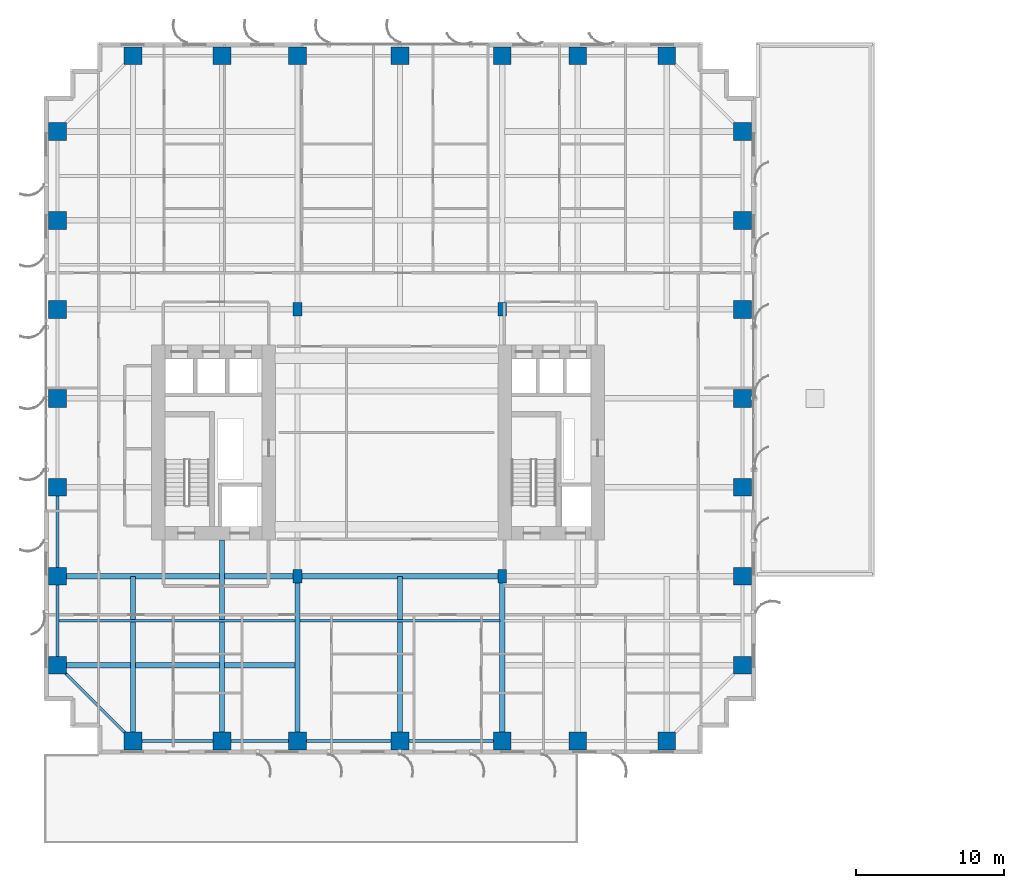
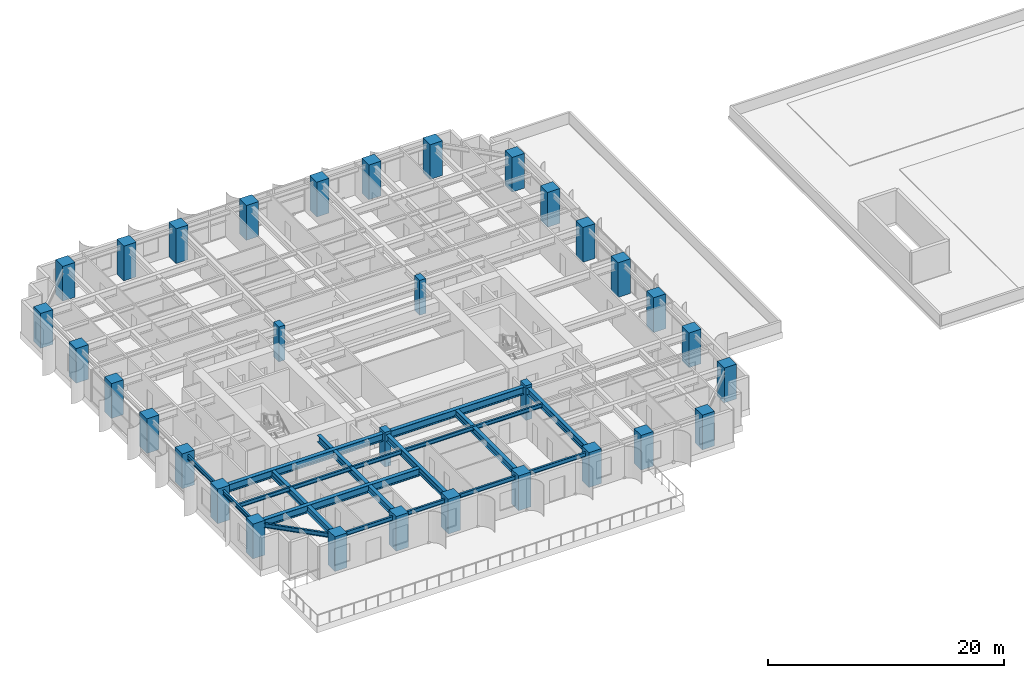
# One storey, part 1 of 21: 32 columns, 17 beams.
"""IFC4 building model written with IfcOpenShell, lengths in metres."""

from ifc_helpers import new_model, si_unit, direction, frame, origin, origin_2d, place, context, subcontext, project, spatial, rectangle, i_section, extrude, source, transform, mapped, material, material_profile, profile_set, type_object, element, save


model = new_model("IFC4")

# Units and contexts
model_context = context("Model", 3, precision=1e-05, world=origin(), true_north=direction((0.0, 1.0)))
body_context = subcontext(model_context, "Body", "Model", "MODEL_VIEW")
ifc_project = project(units=[si_unit("LENGTHUNIT", "METRE"), si_unit("AREAUNIT", "SQUARE_METRE"), si_unit("VOLUMEUNIT", "CUBIC_METRE"), si_unit("PLANEANGLEUNIT", "RADIAN"), si_unit("MASSUNIT", "GRAM", prefix="KILO")], contexts=[model_context])

# Site, building, storey
site_placement = place(None, origin())
site = spatial("IfcSite", under=ifc_project, at=site_placement, CompositionType="ELEMENT")
building_placement = place(site_placement, origin())
building = spatial("IfcBuilding", under=site, at=building_placement, Name="Khoralis Quay Care Tower", CompositionType="ELEMENT")
storey_placement = place(building_placement, frame((0.0, 0.0, 22.5)))
storey = spatial("IfcBuildingStorey", under=building, at=storey_placement, Name="L05", CompositionType="ELEMENT", Elevation=22.5)

# Columns
ifc_material_1 = material(Name="Concrete C80/95", Category="concrete")
ifc_material_profile_1 = material_profile(ifc_material_1, rectangle(XDim=1.199951171875, YDim=1.199951171875, at=origin_2d()), Name="Concrete C80/95")
ifc_profile_set_1 = profile_set([ifc_material_profile_1], Name="Concrete C80/95")
column_type_1 = type_object("IfcColumnType", Name="COL-C1200", PredefinedType="COLUMN", material=ifc_profile_set_1)
shared_shape_1 = source(origin(), body_context, "Body", "SweptSolid", [
    extrude(rectangle(XDim=1.199951171875, YDim=1.199951171875, at=origin_2d()), origin(), (0.0, 0.0, 1.0), 3.60009765625),
])
for number, where, z_axis, x_axis, name in (
    (1, (6.0, 0.89990234375, 0.0), (0.0, 0.0, 1.0), (1.0, 0.0, 0.0), "COL-TWR-L05-01"),
    (2, (6.0, 47.10009765625, 0.0), (0.0, 0.0, 1.0), (1.0, 0.0, 0.0), "COL-TWR-L05-02"),
    (3, (12.0, 0.89990234375, 0.0), (0.0, 0.0, 1.0), (1.0, 0.0, 0.0), "COL-TWR-L05-03"),
    (4, (12.0, 47.10009765625, 0.0), (0.0, 0.0, 1.0), (1.0, 0.0, 0.0), "COL-TWR-L05-04"),
    (5, (17.10009765625, 0.89990234375, 0.0), (0.0, 0.0, 1.0), (1.0, 0.0, 0.0), "COL-TWR-L05-05"),
    (6, (17.10009765625, 47.10009765625, 0.0), (0.0, 0.0, 1.0), (1.0, 0.0, 0.0), "COL-TWR-L05-06"),
    (7, (24.0, 0.89990234375, 0.0), (0.0, 0.0, 1.0), (1.0, 0.0, 0.0), "COL-TWR-L05-07"),
    (8, (24.0, 47.10009765625, 0.0), (0.0, 0.0, 1.0), (1.0, 0.0, 0.0), "COL-TWR-L05-08"),
    (9, (30.89990234375, 0.89990234375, 0.0), (0.0, 0.0, 1.0), (1.0, 0.0, 0.0), "COL-TWR-L05-09"),
    (10, (30.89990234375, 47.10009765625, 0.0), (0.0, 0.0, 1.0), (1.0, 0.0, 0.0), "COL-TWR-L05-10"),
    (11, (36.0, 0.89990234375, 0.0), (0.0, 0.0, 1.0), (1.0, 0.0, 0.0), "COL-TWR-L05-11"),
    (12, (36.0, 47.10009765625, 0.0), (0.0, 0.0, 1.0), (1.0, 0.0, 0.0), "COL-TWR-L05-12"),
    (13, (42.0, 0.89990234375, 0.0), (0.0, 0.0, 1.0), (1.0, 0.0, 0.0), "COL-TWR-L05-13"),
    (14, (42.0, 47.10009765625, 0.0), (0.0, 0.0, 1.0), (1.0, 0.0, 0.0), "COL-TWR-L05-14"),
    (15, (0.89990234375, 6.0, 0.0), (0.0, 0.0, 1.0), (1.0, 0.0, 0.0), "COL-TWR-L05-15"),
    (16, (47.10009765625, 6.0, 0.0), (0.0, 0.0, 1.0), (1.0, 0.0, 0.0), "COL-TWR-L05-16"),
    (17, (0.89990234375, 12.0, 0.0), (0.0, 0.0, 1.0), (1.0, 0.0, 0.0), "COL-TWR-L05-17"),
    (18, (47.10009765625, 12.0, 0.0), (0.0, 0.0, 1.0), (1.0, 0.0, 0.0), "COL-TWR-L05-18"),
    (19, (0.89990234375, 18.0, 0.0), (0.0, 0.0, 1.0), (1.0, 0.0, 0.0), "COL-TWR-L05-19"),
    (20, (47.10009765625, 18.0, 0.0), (0.0, 0.0, 1.0), (1.0, 0.0, 0.0), "COL-TWR-L05-20"),
    (21, (0.89990234375, 24.0, 0.0), (0.0, 0.0, 1.0), (1.0, 0.0, 0.0), "COL-TWR-L05-21"),
    (22, (47.10009765625, 24.0, 0.0), (0.0, 0.0, 1.0), (1.0, 0.0, 0.0), "COL-TWR-L05-22"),
    (23, (0.89990234375, 30.0, 0.0), (0.0, 0.0, 1.0), (1.0, 0.0, 0.0), "COL-TWR-L05-23"),
    (24, (47.10009765625, 30.0, 0.0), (0.0, 0.0, 1.0), (1.0, 0.0, 0.0), "COL-TWR-L05-24"),
    (25, (0.89990234375, 36.0, 0.0), (0.0, 0.0, 1.0), (1.0, 0.0, 0.0), "COL-TWR-L05-25"),
    (26, (47.10009765625, 36.0, 0.0), (0.0, 0.0, 1.0), (1.0, 0.0, 0.0), "COL-TWR-L05-26"),
    (27, (0.89990234375, 42.0, 0.0), (0.0, 0.0, 1.0), (1.0, 0.0, 0.0), "COL-TWR-L05-27"),
    (28, (47.10009765625, 42.0, 0.0), (0.0, 0.0, 1.0), (1.0, 0.0, 0.0), "COL-TWR-L05-28"),
):
    element("IfcColumn", number, at=place(storey_placement, frame(where, z_axis=z_axis, x_axis=x_axis)), inside=storey, type_object=column_type_1, Name=name, PredefinedType="COLUMN", context=body_context, shape_type="MappedRepresentation", body=[
        mapped(shared_shape_1, transform((0.0, 0.0, 0.0), scale=1.0)),
    ])
ifc_material_2 = material(Name="Concrete C65/80", Category="concrete")
ifc_material_profile_2 = material_profile(ifc_material_2, rectangle(XDim=0.60009765625, YDim=0.89990234375, at=origin_2d()), Name="Concrete C65/80")
ifc_profile_set_2 = profile_set([ifc_material_profile_2], Name="Concrete C65/80")
column_type_2 = type_object("IfcColumnType", Name="COL-C600X900", PredefinedType="COLUMN", material=ifc_profile_set_2)
shared_shape_2 = source(origin(), body_context, "Body", "SweptSolid", [
    extrude(rectangle(XDim=0.60009765625, YDim=0.89990234375, at=origin_2d()), origin(), (0.0, 0.0, 1.0), 3.60009765625),
])
for number, where, z_axis, x_axis, name in (
    (29, (17.10009765625, 12.0, 0.0), (0.0, 0.0, 1.0), (1.0, 0.0, 0.0), "COL-TWR-L05-29"),
    (30, (17.10009765625, 30.0, 0.0), (0.0, 0.0, 1.0), (1.0, 0.0, 0.0), "COL-TWR-L05-30"),
    (31, (30.89990234375, 12.0, 0.0), (0.0, 0.0, 1.0), (1.0, 0.0, 0.0), "COL-TWR-L05-31"),
    (32, (30.89990234375, 30.0, 0.0), (0.0, 0.0, 1.0), (1.0, 0.0, 0.0), "COL-TWR-L05-32"),
):
    element("IfcColumn", number, at=place(storey_placement, frame(where, z_axis=z_axis, x_axis=x_axis)), inside=storey, type_object=column_type_2, Name=name, PredefinedType="COLUMN", context=body_context, shape_type="MappedRepresentation", body=[
        mapped(shared_shape_2, transform((0.0, 0.0, 0.0), scale=1.0)),
    ])

# Beams
ifc_material_3 = material(Name="Steel S355", Category="steel")
ifc_material_profile_3 = material_profile(ifc_material_3, i_section(OverallWidth=0.18994140625, OverallDepth=0.449951171875, WebThickness=0.009521484375, FlangeThickness=0.0146484375, FilletRadius=0.02099609375, at=origin_2d()), Name="Steel S355")
ifc_profile_set_3 = profile_set([ifc_material_profile_3], Name="Steel S355")
beam_type_1 = type_object("IfcBeamType", Name="BM-IPE450", PredefinedType="SPANDREL", material=ifc_profile_set_3)
shared_shape_3 = source(origin(), body_context, "Body", "SweptSolid", [
    extrude(i_section(OverallWidth=0.18994140625, OverallDepth=0.449951171875, WebThickness=0.009521484375, FlangeThickness=0.0146484375, FilletRadius=0.02099609375, at=origin_2d()), origin(), (0.0, 0.0, 1.0), 6.0),
])
for number, where, z_axis, x_axis, name in (
    (33, (6.0, 0.89990234375, 3.094970703125), (1.0, 0.0, 0.0), (0.0, 1.0, 0.0), "BM-TSP-L05-01"),
    (34, (0.89990234375, 6.0, 3.094970703125), (0.0, 1.0, 0.0), (-1.0, 0.0, 0.0), "BM-TSP-L05-13"),
    (35, (0.89990234375, 12.0, 3.094970703125), (0.0, 1.0, 0.0), (-1.0, 0.0, 0.0), "BM-TSP-L05-14"),
):
    element("IfcBeam", number, at=place(storey_placement, frame(where, z_axis=z_axis, x_axis=x_axis)), inside=storey, type_object=beam_type_1, Name=name, PredefinedType="SPANDREL", context=body_context, shape_type="MappedRepresentation", body=[
        mapped(shared_shape_3, transform((0.0, 0.0, 0.0), scale=1.0)),
    ])
shared_shape_4 = source(origin(), body_context, "Body", "SweptSolid", [
    extrude(i_section(OverallWidth=0.18994140625, OverallDepth=0.449951171875, WebThickness=0.009521484375, FlangeThickness=0.0146484375, FilletRadius=0.02099609375, at=origin_2d()), origin(), (0.0, 0.0, 1.0), 5.10009765625),
])
beam_1_placement = place(storey_placement, frame((12.0, 0.89990234375, 3.094970703125), z_axis=(1.0, 0.0, 0.0), x_axis=(0.0, 1.0, 0.0)))
element("IfcBeam", 36, at=beam_1_placement, inside=storey, type_object=beam_type_1, Name="BM-TSP-L05-02", PredefinedType="SPANDREL", context=body_context, shape_type="MappedRepresentation", body=[
    mapped(shared_shape_4, transform((0.0, 0.0, 0.0), scale=1.0)),
])
shared_shape_5 = source(origin(), body_context, "Body", "SweptSolid", [
    extrude(i_section(OverallWidth=0.18994140625, OverallDepth=0.449951171875, WebThickness=0.009521484375, FlangeThickness=0.0146484375, FilletRadius=0.02099609375, at=origin_2d()), origin(), (0.0, 0.0, 1.0), 6.89990234375),
])
for number, where, z_axis, x_axis, name in (
    (37, (17.10009765625, 0.89990234375, 3.094970703125), (1.0, 0.0, 0.0), (0.0, 1.0, 0.0), "BM-TSP-L05-03"),
    (38, (24.0, 0.89990234375, 3.094970703125), (1.0, 0.0, 0.0), (0.0, 1.0, 0.0), "BM-TSP-L05-04"),
):
    element("IfcBeam", number, at=place(storey_placement, frame(where, z_axis=z_axis, x_axis=x_axis)), inside=storey, type_object=beam_type_1, Name=name, PredefinedType="SPANDREL", context=body_context, shape_type="MappedRepresentation", body=[
        mapped(shared_shape_5, transform((0.0, 0.0, 0.0), scale=1.0)),
    ])
shared_shape_6 = source(origin(), body_context, "Body", "SweptSolid", [
    extrude(i_section(OverallWidth=0.18994140625, OverallDepth=0.449951171875, WebThickness=0.009521484375, FlangeThickness=0.0146484375, FilletRadius=0.02099609375, at=origin_2d()), origin(), (0.0, 0.0, 1.0), 7.212646484375),
])
beam_2_placement = place(storey_placement, frame((6.0, 0.89990234375, 3.094970703125), z_axis=(-0.707106781187, 0.707106781187, 0.0), x_axis=(-0.707106781187, -0.707106781187, 0.0)))
element("IfcBeam", 39, at=beam_2_placement, inside=storey, type_object=beam_type_1, Name="BM-TCR-L05-25", PredefinedType="SPANDREL", context=body_context, shape_type="MappedRepresentation", body=[
    mapped(shared_shape_6, transform((0.0, 0.0, 0.0), scale=1.0)),
])
ifc_material_profile_4 = material_profile(ifc_material_3, i_section(OverallWidth=0.381103515625, OverallDepth=0.77294921875, WebThickness=0.0166015625, FlangeThickness=0.027587890625, FilletRadius=0.02197265625, at=origin_2d()), Name="Steel S355")
ifc_profile_set_4 = profile_set([ifc_material_profile_4], Name="Steel S355")
beam_type_2 = type_object("IfcBeamType", Name="BM-W760X257", PredefinedType="BEAM", material=ifc_profile_set_4)
shared_shape_7 = source(origin(), body_context, "Body", "SweptSolid", [
    extrude(i_section(OverallWidth=0.381103515625, OverallDepth=0.77294921875, WebThickness=0.0166015625, FlangeThickness=0.027587890625, FilletRadius=0.02197265625, at=origin_2d()), origin(), (0.0, 0.0, 1.0), 16.03466796875),
])
beam_3_placement = place(storey_placement, frame((0.89990234375, 6.0, 2.93359375), z_axis=(1.0, 0.0, 0.0), x_axis=(0.0, 1.0, 0.0)))
element("IfcBeam", 40, at=beam_3_placement, inside=storey, type_object=beam_type_2, Name="BM-TGXW-L05-60", PredefinedType="BEAM", context=body_context, shape_type="MappedRepresentation", body=[
    mapped(shared_shape_7, transform((0.0, 0.0, 0.0), scale=1.0)),
])
shared_shape_8 = source(origin(), body_context, "Body", "SweptSolid", [
    extrude(i_section(OverallWidth=0.381103515625, OverallDepth=0.77294921875, WebThickness=0.0166015625, FlangeThickness=0.027587890625, FilletRadius=0.02197265625, at=origin_2d()), origin(), (0.0, 0.0, 1.0), 16.2001953125),
])
beam_4_placement = place(storey_placement, frame((0.89990234375, 12.0, 2.93359375), z_axis=(1.0, 0.0, 0.0), x_axis=(0.0, 1.0, 0.0)))
element("IfcBeam", 41, at=beam_4_placement, inside=storey, type_object=beam_type_2, Name="BM-TGXW-L05-120", PredefinedType="BEAM", context=body_context, shape_type="MappedRepresentation", body=[
    mapped(shared_shape_8, transform((0.0, 0.0, 0.0), scale=1.0)),
])
shared_shape_9 = source(origin(), body_context, "Body", "SweptSolid", [
    extrude(i_section(OverallWidth=0.381103515625, OverallDepth=0.77294921875, WebThickness=0.0166015625, FlangeThickness=0.027587890625, FilletRadius=0.02197265625, at=origin_2d()), origin(), (0.0, 0.0, 1.0), 13.7998046875),
])
beam_5_placement = place(storey_placement, frame((17.10009765625, 12.0, 2.93359375), z_axis=(1.0, 0.0, 0.0), x_axis=(0.0, 1.0, 0.0)))
element("IfcBeam", 42, at=beam_5_placement, inside=storey, type_object=beam_type_2, Name="BM-TGCC-L05-120", PredefinedType="BEAM", context=body_context, shape_type="MappedRepresentation", body=[
    mapped(shared_shape_9, transform((0.0, 0.0, 0.0), scale=1.0)),
])
ifc_material_profile_5 = material_profile(ifc_material_3, i_section(OverallWidth=0.35498046875, OverallDepth=0.695068359375, WebThickness=0.015380859375, FlangeThickness=0.02490234375, FilletRadius=0.02001953125, at=origin_2d()), Name="Steel S355")
ifc_profile_set_5 = profile_set([ifc_material_profile_5], Name="Steel S355")
beam_type_3 = type_object("IfcBeamType", Name="BM-W690X217", PredefinedType="BEAM", material=ifc_profile_set_5)
shared_shape_10 = source(origin(), body_context, "Body", "SweptSolid", [
    extrude(i_section(OverallWidth=0.35498046875, OverallDepth=0.695068359375, WebThickness=0.015380859375, FlangeThickness=0.02490234375, FilletRadius=0.02001953125, at=origin_2d()), origin(), (0.0, 0.0, 1.0), 11.10009765625),
])
for number, where, z_axis, x_axis, name in (
    (43, (6.0, 0.89990234375, 2.972412109375), (0.0, 1.0, 0.0), (-1.0, 0.0, 0.0), "BM-TGYS-L05-60"),
    (44, (17.10009765625, 0.89990234375, 2.972412109375), (0.0, 1.0, 0.0), (-1.0, 0.0, 0.0), "BM-TGYS-L05-171"),
    (45, (24.0, 0.89990234375, 2.972412109375), (0.0, 1.0, 0.0), (-1.0, 0.0, 0.0), "BM-TGYS-L05-240"),
    (46, (30.89990234375, 0.89990234375, 2.972412109375), (0.0, 1.0, 0.0), (-1.0, 0.0, 0.0), "BM-TGYS-L05-309"),
):
    element("IfcBeam", number, at=place(storey_placement, frame(where, z_axis=z_axis, x_axis=x_axis)), inside=storey, type_object=beam_type_3, Name=name, PredefinedType="BEAM", context=body_context, shape_type="MappedRepresentation", body=[
        mapped(shared_shape_10, transform((0.0, 0.0, 0.0), scale=1.0)),
    ])
shared_shape_11 = source(origin(), body_context, "Body", "SweptSolid", [
    extrude(i_section(OverallWidth=0.35498046875, OverallDepth=0.695068359375, WebThickness=0.015380859375, FlangeThickness=0.02490234375, FilletRadius=0.02001953125, at=origin_2d()), origin(), (0.0, 0.0, 1.0), 13.552001953125),
])
beam_6_placement = place(storey_placement, frame((12.0, 0.89990234375, 2.972412109375), z_axis=(0.0, 1.0, 0.0), x_axis=(-1.0, 0.0, 0.0)))
element("IfcBeam", 47, at=beam_6_placement, inside=storey, type_object=beam_type_3, Name="BM-TGYS-L05-120", PredefinedType="BEAM", context=body_context, shape_type="MappedRepresentation", body=[
    mapped(shared_shape_11, transform((0.0, 0.0, 0.0), scale=1.0)),
])
ifc_material_profile_6 = material_profile(ifc_material_3, i_section(OverallWidth=0.177978515625, OverallDepth=0.406982421875, WebThickness=0.0078125, FlangeThickness=0.0126953125, FilletRadius=0.012939453125, at=origin_2d()), Name="Steel S355")
ifc_profile_set_6 = profile_set([ifc_material_profile_6], Name="Steel S355")
beam_type_4 = type_object("IfcBeamType", Name="BM-W410X60", PredefinedType="JOIST", material=ifc_profile_set_6)
shared_shape_12 = source(origin(), body_context, "Body", "SweptSolid", [
    extrude(i_section(OverallWidth=0.177978515625, OverallDepth=0.406982421875, WebThickness=0.0078125, FlangeThickness=0.0126953125, FilletRadius=0.012939453125, at=origin_2d()), origin(), (0.0, 0.0, 1.0), 15.95361328125),
])
beam_7_placement = place(storey_placement, frame((0.98095703125, 9.0, 3.116455078125), z_axis=(1.0, 0.0, 0.0), x_axis=(0.0, 1.0, 0.0)))
element("IfcBeam", 48, at=beam_7_placement, inside=storey, type_object=beam_type_4, Name="BM-TJS-L05-29", PredefinedType="JOIST", context=body_context, shape_type="MappedRepresentation", body=[
    mapped(shared_shape_12, transform((0.0, 0.0, 0.0), scale=1.0)),
])
shared_shape_13 = source(origin(), body_context, "Body", "SweptSolid", [
    extrude(i_section(OverallWidth=0.177978515625, OverallDepth=0.406982421875, WebThickness=0.0078125, FlangeThickness=0.0126953125, FilletRadius=0.012939453125, at=origin_2d()), origin(), (0.0, 0.0, 1.0), 13.46923828125),
])
beam_8_placement = place(storey_placement, frame((17.265380859375, 9.0, 3.116455078125), z_axis=(1.0, 0.0, 0.0), x_axis=(0.0, 1.0, 0.0)))
element("IfcBeam", 49, at=beam_8_placement, inside=storey, type_object=beam_type_4, Name="BM-TJS-L05-31", PredefinedType="JOIST", context=body_context, shape_type="MappedRepresentation", body=[
    mapped(shared_shape_13, transform((0.0, 0.0, 0.0), scale=1.0)),
])

save(model, "model.ifc")
